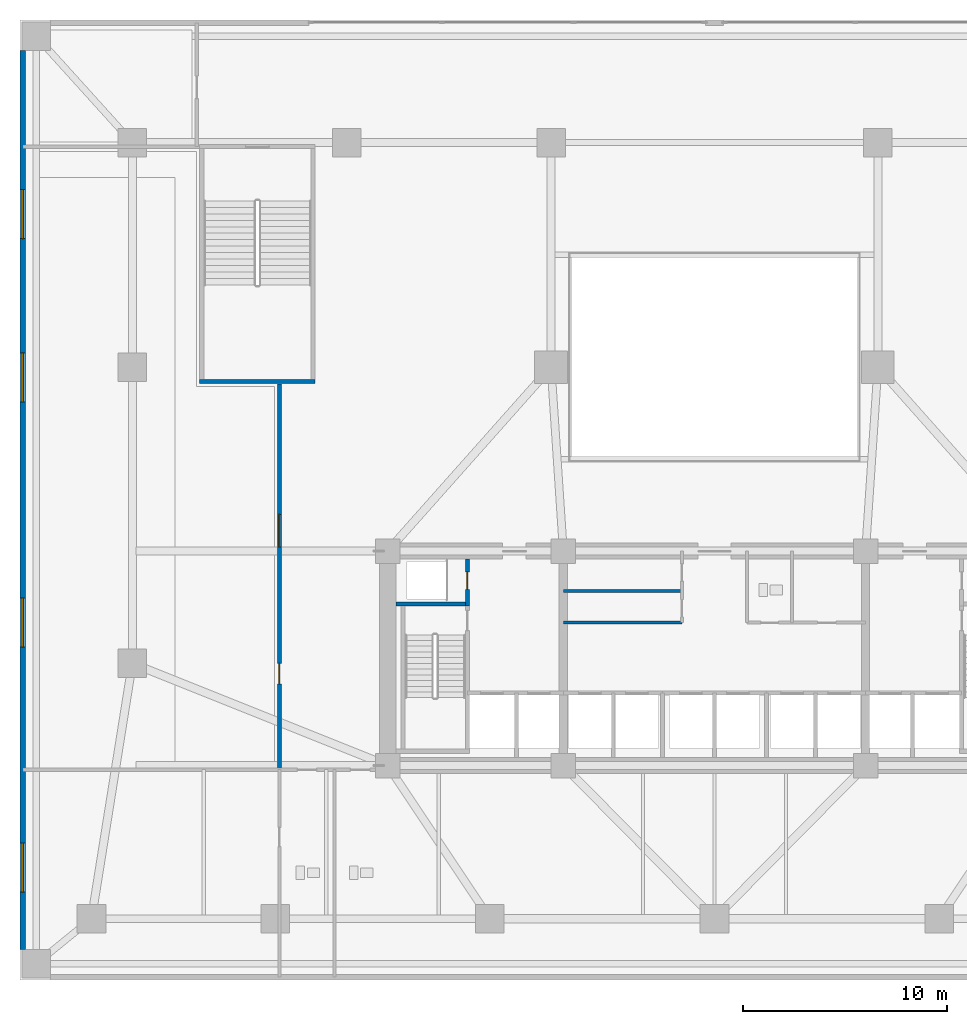
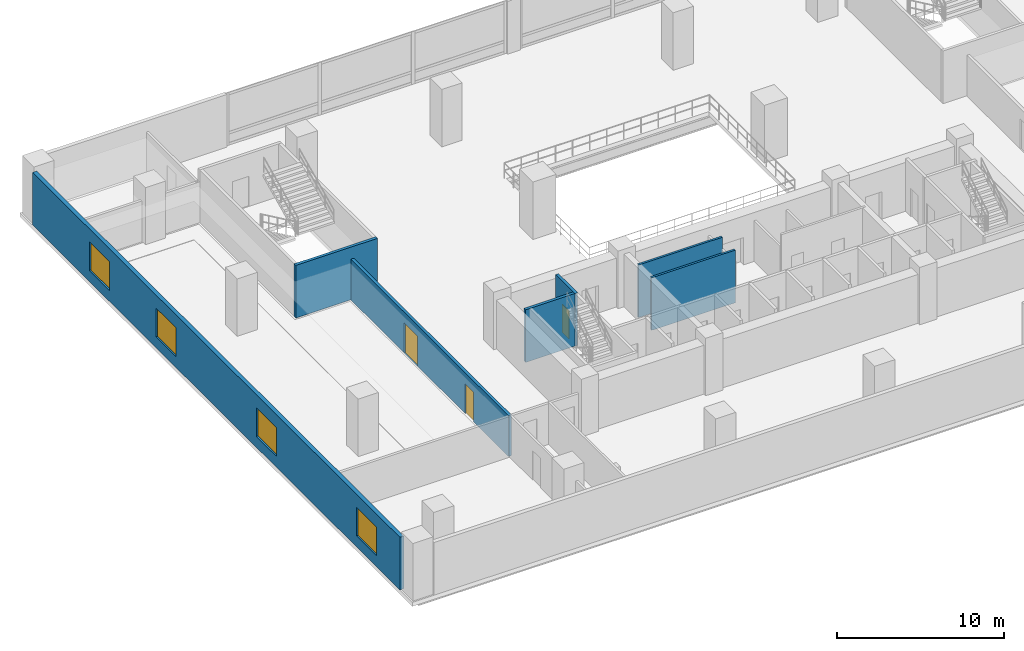
# One storey, part 7 of 15: 7 walls, 4 windows, 3 doors, 7 openings.
"""IFC4 building model written with IfcOpenShell, lengths in metres."""

import ifcopenshell
import ifcopenshell.guid

model = None  # the IFC model being written
_history = None  # IfcOwnerHistory: only IFC2X3 demands one
_inside = {}  # id of a spatial element -> (the spatial element, [elements in it])
_under = {}  # id of a project, library or spatial element -> (it, [spatial elements below it])
_declared = {}  # id of a project -> (the project, [libraries it declares])
_typed = {}  # id of a type object -> (the type object, [elements of that type])
_made_of = {}  # id of a material, layer set ... -> (it, [elements and type objects made of it])


def new_model(schema):
    """Start an empty IFC model of exactly this schema.

    Asked for "IFC4X3", IfcOpenShell would pick the latest addendum, in which some entities
    have other attributes; the version numbers below select the first issue.
    IFC2X3 requires an IfcOwnerHistory on every rooted entity: one is made here for all.
    """
    global model, _history
    if schema == "IFC4X3":
        model = ifcopenshell.file(schema_version=(4, 3, 0, 0))
    else:
        model = ifcopenshell.file(schema=schema)
    _inside.clear()
    _under.clear()
    _declared.clear()
    _typed.clear()
    _made_of.clear()
    _history = None
    if model.schema == "IFC2X3":
        org = make("IfcOrganization", Name="unknown")
        user = make(
            "IfcPersonAndOrganization",
            ThePerson=make("IfcPerson", FamilyName="unknown"),
            TheOrganization=org,
        )
        app = make(
            "IfcApplication",
            ApplicationDeveloper=org,
            Version="unknown",
            ApplicationFullName="unknown",
            ApplicationIdentifier="unknown",
        )
        _history = make(
            "IfcOwnerHistory",
            OwningUser=user,
            OwningApplication=app,
            ChangeAction="ADDED",
            CreationDate=0,
        )
    return model


def make(cls, **values):
    """One entity of the class cls with the attributes given. An attribute that is None is left unset."""
    return model.create_entity(
        cls, **{name: value for name, value in values.items() if value is not None}
    )


def rooted(cls, **values):
    """An entity with a GlobalId (a new one), such as an element, a storey or a relation."""
    return make(cls, GlobalId=ifcopenshell.guid.new(), OwnerHistory=_history, **values)


def si_unit(unit_type, name, prefix=None):
    """IfcSIUnit, for example si_unit("LENGTHUNIT", "METRE", prefix="MILLI")."""
    return make("IfcSIUnit", UnitType=unit_type, Prefix=prefix, Name=name)


def assignment(units):
    """IfcUnitAssignment: the units of a project."""
    return None if units is None else make("IfcUnitAssignment", Units=units)


def point(xyz):
    """IfcCartesianPoint."""
    return None if xyz is None else make("IfcCartesianPoint", Coordinates=xyz)


def direction(xyz):
    """IfcDirection."""
    return None if xyz is None else make("IfcDirection", DirectionRatios=xyz)


def frame(location, z_axis=None, x_axis=None):
    """IfcAxis2Placement3D, a coordinate frame: its origin and axes. An axis left out is left unset."""
    return make(
        "IfcAxis2Placement3D",
        Location=point(location),
        Axis=direction(z_axis),
        RefDirection=direction(x_axis),
    )


def frame_2d(location, x_axis=None):
    """IfcAxis2Placement2D, a coordinate frame in the plane: its origin and x axis."""
    return make(
        "IfcAxis2Placement2D", Location=point(location), RefDirection=direction(x_axis)
    )


def origin():
    """The frame at (0, 0, 0) with its axes left unset."""
    return frame((0.0, 0.0, 0.0))


def place(relative_to, where):
    """IfcLocalPlacement: puts the frame where relative to a parent placement (None: the world)."""
    return make(
        "IfcLocalPlacement", PlacementRelTo=relative_to, RelativePlacement=where
    )


def context(
    kind, dimensions, precision=None, world=None, true_north=None, identifier=None
):
    """IfcGeometricRepresentationContext, for example the 3D "Model" context."""
    return make(
        "IfcGeometricRepresentationContext",
        ContextIdentifier=identifier,
        ContextType=kind,
        CoordinateSpaceDimension=dimensions,
        Precision=precision,
        WorldCoordinateSystem=world,
        TrueNorth=true_north,
    )


def subcontext(parent, identifier, kind, view, scale=None):
    """IfcGeometricRepresentationSubContext, for example "Body" below "Model"."""
    return make(
        "IfcGeometricRepresentationSubContext",
        ContextIdentifier=identifier,
        ContextType=kind,
        ParentContext=parent,
        TargetScale=scale,
        TargetView=view,
    )


def project(units=None, contexts=None):
    """IfcProject with its units and contexts."""
    return rooted(
        "IfcProject",
        Name="project",
        RepresentationContexts=contexts,
        UnitsInContext=assignment(units),
    )


def spatial(cls, under=None, at=None, **own):
    """A site, building, storey or space (cls), placed at a placement, below another one or the project."""
    s = rooted(cls, ObjectPlacement=at, **own)
    if under is not None:
        _under.setdefault(under.id(), (under, []))[1].append(s)
    return s


def profile(cls, at=None, kind="AREA", **sizes):
    """A parametric profile (cls). Its sizes go by their IFC names, for example OverallWidth=200.0."""
    return make(cls, ProfileType=kind, Position=at, **sizes)


def rectangle(**sizes):
    """IfcRectangleProfileDef."""
    return profile("IfcRectangleProfileDef", **sizes)


def extrude(swept, where, along, depth):
    """IfcExtrudedAreaSolid: the profile swept, set in the frame where, extruded along a direction by depth."""
    return make(
        "IfcExtrudedAreaSolid",
        SweptArea=swept,
        Position=where,
        ExtrudedDirection=direction(along),
        Depth=depth,
    )


def shape(context_of_items, identifier, shape_type, items):
    """IfcShapeRepresentation: the items that make up one representation, for example the "Body"."""
    return make(
        "IfcShapeRepresentation",
        ContextOfItems=context_of_items,
        RepresentationIdentifier=identifier,
        RepresentationType=shape_type,
        Items=items,
    )


def material(Name=None, Category=None):
    """IfcMaterial."""
    return make("IfcMaterial", Name=Name, Category=Category)


def layer(
    of_material, thickness, ventilated=None, Name=None, Category=None, Priority=None
):
    """IfcMaterialLayer: one layer of a wall or slab, of a material (None: an air gap)."""
    return make(
        "IfcMaterialLayer",
        Material=of_material,
        LayerThickness=thickness,
        IsVentilated=ventilated,
        Name=Name,
        Category=Category,
        Priority=Priority,
    )


def layer_set(layers, Name=None):
    """IfcMaterialLayerSet."""
    return make("IfcMaterialLayerSet", MaterialLayers=layers, LayerSetName=Name)


def made_of(thing, what):
    """Note that an element or type object is made of a material, layer set ...; save() writes the relation."""
    if what is not None:
        _made_of.setdefault(what.id(), (what, []))[1].append(thing)
    return thing


def type_object(cls, material=None, **own):
    """A type object (cls), such as IfcWallType, which elements share."""
    return made_of(rooted(cls, **own), material)


def element(
    cls,
    number,
    at=None,
    inside=None,
    cuts=None,
    type_object=None,
    material=None,
    context=None,
    identifier="Body",
    shape_type=None,
    held_by="IfcProductDefinitionShape",
    body=None,
    shapes=None,
    **own,
):
    """One element of the class cls, such as IfcWall. Its Tag is "e" and its number.

    at: its placement. inside: the storey or other place that contains it. cuts: it is an
    opening in that element (IfcRelVoidsElement). A single representation is given by context,
    identifier, shape_type and body (its items); several are given by shapes. held_by: the class
    of the entity that holds the representations. save() writes the other relations.
    """
    e = rooted(cls, Tag="e%d" % number, ObjectPlacement=at, **own)
    if body is not None:
        shapes = [shape(context, identifier, shape_type, body)]
    if shapes is not None:
        e.Representation = make(held_by, Representations=shapes)
    if inside is not None:
        _inside.setdefault(inside.id(), (inside, []))[1].append(e)
    if cuts is not None:
        rooted(
            "IfcRelVoidsElement", RelatingBuildingElement=cuts, RelatedOpeningElement=e
        )
    if type_object is not None:
        _typed.setdefault(type_object.id(), (type_object, []))[1].append(e)
    return made_of(e, material)


def fill(opening, filler):
    """IfcRelFillsElement: the door or window that sits in an opening."""
    return rooted(
        "IfcRelFillsElement",
        RelatingOpeningElement=opening,
        RelatedBuildingElement=filler,
    )


def aggregate(whole, parts):
    """IfcRelAggregates: a whole, such as a stair, and the parts it consists of."""
    return rooted("IfcRelAggregates", RelatingObject=whole, RelatedObjects=parts)


def save(model, path):
    """Write the relations noted so far, then the file.

    IfcRelAggregates (storeys below a building ...), IfcRelContainedInSpatialStructure (elements
    in a storey), IfcRelDefinesByType, IfcRelAssociatesMaterial and IfcRelDeclares: one each for
    every whole, place, type object, material and project.
    """
    for whole, parts in _under.values():
        aggregate(whole, parts)
    for where, things in _inside.values():
        rooted(
            "IfcRelContainedInSpatialStructure",
            RelatedElements=things,
            RelatingStructure=where,
        )
    for kind, things in _typed.values():
        rooted("IfcRelDefinesByType", RelatedObjects=things, RelatingType=kind)
    for what, things in _made_of.values():
        rooted("IfcRelAssociatesMaterial", RelatedObjects=things, RelatingMaterial=what)
    for by, libraries in _declared.values():
        rooted("IfcRelDeclares", RelatingContext=by, RelatedDefinitions=libraries)
    model.write(path)


model = new_model("IFC4")

# Units and contexts
model_context = context("Model", 3, precision=1e-05, world=origin(), true_north=direction((0.0, 1.0)))
body_context = subcontext(model_context, "Body", "Model", "MODEL_VIEW")
ifc_project = project(units=[si_unit("LENGTHUNIT", "METRE"), si_unit("AREAUNIT", "SQUARE_METRE"), si_unit("VOLUMEUNIT", "CUBIC_METRE"), si_unit("PLANEANGLEUNIT", "RADIAN"), si_unit("MASSUNIT", "GRAM", prefix="KILO")], contexts=[model_context])

# Site, building, storey
site_placement = place(None, origin())
site = spatial("IfcSite", under=ifc_project, at=site_placement, CompositionType="ELEMENT")
building_placement = place(site_placement, origin())
building = spatial("IfcBuilding", under=site, at=building_placement, Name="Solmavex Isthmus Hotel", CompositionType="ELEMENT")
storey_placement = place(building_placement, frame((0.0, 0.0, 16.199951171875)))
storey = spatial("IfcBuildingStorey", under=building, at=storey_placement, Name="L04", CompositionType="ELEMENT", Elevation=16.199951171875)

# Wall, openings, windows
ifc_material_1 = material(Name="Precast Concrete C40/50", Category="concrete")
ifc_layer_1 = layer(ifc_material_1, 0.280029296875)
ifc_layer_set_1 = layer_set([ifc_layer_1], Name="Precast Concrete C40/50")
wall_type_1 = type_object("IfcWallType", Name="EW-POD-280", PredefinedType="STANDARD", material=ifc_layer_set_1)
wall_1_placement = place(storey_placement, frame((-33.860107421875, -22.0, 0.0), z_axis=(0.0, 0.0, 1.0), x_axis=(0.0, 1.0, 0.0)))
wall_1 = element("IfcWall", 1, at=wall_1_placement, inside=storey, type_object=wall_type_1, Name="Podium Facade Wall West L04", PredefinedType="STANDARD", context=body_context, shape_type="SweptSolid", body=[
    extrude(rectangle(XDim=44.0, YDim=0.280029296875, at=frame_2d((22.0, 0.0))), origin(), (0.0, 0.0, 1.0), 3.85009765625),
])
opening_1_placement = place(wall_1_placement, frame((2.800048828125, 0.0, 0.800048828125)))
opening_1 = element("IfcOpeningElement", 2, at=opening_1_placement, cuts=wall_1, Name="Opening WN-01", PredefinedType="OPENING", context=body_context, shape_type="SweptSolid", body=[
    extrude(rectangle(XDim=2.39990234375, YDim=2.10009765625, at=frame_2d((1.199951171875, 1.050048828125))), frame((0.0, 0.14990234375, 0.0), z_axis=(0.0, -1.0, 0.0), x_axis=(1.0, 0.0, 0.0)), (0.0, 0.0, 1.0), 0.300048828125),
])
opening_2_placement = place(wall_1_placement, frame((14.800048828125, 0.0, 0.800048828125)))
opening_2 = element("IfcOpeningElement", 3, at=opening_2_placement, cuts=wall_1, Name="Opening WN-01", PredefinedType="OPENING", context=body_context, shape_type="SweptSolid", body=[
    extrude(rectangle(XDim=2.39990234375, YDim=2.10009765625, at=frame_2d((1.199951171875, 1.050048828125))), frame((0.0, 0.14990234375, 0.0), z_axis=(0.0, -1.0, 0.0), x_axis=(1.0, 0.0, 0.0)), (0.0, 0.0, 1.0), 0.300048828125),
])
opening_3_placement = place(wall_1_placement, frame((26.800048828125, 0.0, 0.800048828125)))
opening_3 = element("IfcOpeningElement", 4, at=opening_3_placement, cuts=wall_1, Name="Opening WN-01", PredefinedType="OPENING", context=body_context, shape_type="SweptSolid", body=[
    extrude(rectangle(XDim=2.39990234375, YDim=2.10009765625, at=frame_2d((1.199951171875, 1.050048828125))), frame((0.0, 0.14990234375, 0.0), z_axis=(0.0, -1.0, 0.0), x_axis=(1.0, 0.0, 0.0)), (0.0, 0.0, 1.0), 0.300048828125),
])
opening_4_placement = place(wall_1_placement, frame((34.800048828125, 0.0, 0.800048828125)))
opening_4 = element("IfcOpeningElement", 5, at=opening_4_placement, cuts=wall_1, Name="Opening WN-01", PredefinedType="OPENING", context=body_context, shape_type="SweptSolid", body=[
    extrude(rectangle(XDim=2.39990234375, YDim=2.10009765625, at=frame_2d((1.199951171875, 1.050048828125))), frame((0.0, 0.14990234375, 0.0), z_axis=(0.0, -1.0, 0.0), x_axis=(1.0, 0.0, 0.0)), (0.0, 0.0, 1.0), 0.300048828125),
])
ifc_material_2 = material(Name="Clear low-E laminated glass", Category="glass")
window_type = type_object("IfcWindowType", Name="WIN-POD-2400", PartitioningType="SINGLE_PANEL", PredefinedType="WINDOW", material=ifc_material_2)
window_1_placement = place(opening_1_placement, origin())
window_1 = element("IfcWindow", 6, at=window_1_placement, inside=storey, type_object=window_type, Name="Podium Ballroom Window L04-W1", OverallHeight=2.10009765625, OverallWidth=2.39990234375, PartitioningType="SINGLE_PANEL", PredefinedType="WINDOW", context=body_context, shape_type="SweptSolid", body=[
    extrude(rectangle(XDim=2.39990234375, YDim=2.10009765625, at=frame_2d((1.199951171875, 1.050048828125))), frame((0.0, 0.030029296875, 0.0), z_axis=(0.0, -1.0, 0.0), x_axis=(1.0, 0.0, 0.0)), (0.0, 0.0, 1.0), 0.06005859375),
])
fill(opening_1, window_1)
window_2_placement = place(opening_2_placement, origin())
window_2 = element("IfcWindow", 7, at=window_2_placement, inside=storey, type_object=window_type, Name="Podium Ballroom Window L04-W2", OverallHeight=2.10009765625, OverallWidth=2.39990234375, PartitioningType="SINGLE_PANEL", PredefinedType="WINDOW", context=body_context, shape_type="SweptSolid", body=[
    extrude(rectangle(XDim=2.39990234375, YDim=2.10009765625, at=frame_2d((1.199951171875, 1.050048828125))), frame((0.0, 0.030029296875, 0.0), z_axis=(0.0, -1.0, 0.0), x_axis=(1.0, 0.0, 0.0)), (0.0, 0.0, 1.0), 0.06005859375),
])
fill(opening_2, window_2)
window_3_placement = place(opening_3_placement, origin())
window_3 = element("IfcWindow", 8, at=window_3_placement, inside=storey, type_object=window_type, Name="Podium Ballroom Window L04-W3", OverallHeight=2.10009765625, OverallWidth=2.39990234375, PartitioningType="SINGLE_PANEL", PredefinedType="WINDOW", context=body_context, shape_type="SweptSolid", body=[
    extrude(rectangle(XDim=2.39990234375, YDim=2.10009765625, at=frame_2d((1.199951171875, 1.050048828125))), frame((0.0, 0.030029296875, 0.0), z_axis=(0.0, -1.0, 0.0), x_axis=(1.0, 0.0, 0.0)), (0.0, 0.0, 1.0), 0.06005859375),
])
fill(opening_3, window_3)
window_4_placement = place(opening_4_placement, origin())
window_4 = element("IfcWindow", 9, at=window_4_placement, inside=storey, type_object=window_type, Name="Podium Ballroom Window L04-W4", OverallHeight=2.10009765625, OverallWidth=2.39990234375, PartitioningType="SINGLE_PANEL", PredefinedType="WINDOW", context=body_context, shape_type="SweptSolid", body=[
    extrude(rectangle(XDim=2.39990234375, YDim=2.10009765625, at=frame_2d((1.199951171875, 1.050048828125))), frame((0.0, 0.030029296875, 0.0), z_axis=(0.0, -1.0, 0.0), x_axis=(1.0, 0.0, 0.0)), (0.0, 0.0, 1.0), 0.06005859375),
])
fill(opening_4, window_4)

# Walls
ifc_material_3 = material(Name="Gypsum plasterboard lining", Category="gypsum")
ifc_layer_2 = layer(ifc_material_3, 0.14990234375)
ifc_layer_set_2 = layer_set([ifc_layer_2], Name="Gypsum plasterboard lining")
wall_type_2 = type_object("IfcWallType", Name="IW-CORR-150", PredefinedType="PARTITIONING", material=ifc_layer_set_2)
wall_2_placement = place(storey_placement, frame((-7.39990234375, -6.0, 0.0), z_axis=(0.0, 0.0, 1.0), x_axis=(1.0, 0.0, 0.0)))
element("IfcWall", 10, at=wall_2_placement, inside=storey, type_object=wall_type_2, Name="Interior Partition Wall W-L04-BOH-WS", PredefinedType="PARTITIONING", context=body_context, shape_type="SweptSolid", body=[
    extrude(rectangle(XDim=5.7998046875, YDim=0.14990234375, at=frame_2d((2.89990234375, 0.0))), origin(), (0.0, 0.0, 1.0), 3.85009765625),
])
ifc_layer_3 = layer(ifc_material_3, 0.1201171875)
ifc_layer_set_3 = layer_set([ifc_layer_3], Name="Gypsum plasterboard lining")
wall_type_3 = type_object("IfcWallType", Name="IW-PART-120", PredefinedType="PARTITIONING", material=ifc_layer_set_3)
wall_3_placement = place(storey_placement, frame((-7.39990234375, -4.449951171875, 0.0), z_axis=(0.0, 0.0, 1.0), x_axis=(1.0, 0.0, 0.0)))
element("IfcWall", 11, at=wall_3_placement, inside=storey, type_object=wall_type_3, Name="Interior Partition Wall W-L04-BOH-WH3", PredefinedType="PARTITIONING", context=body_context, shape_type="SweptSolid", body=[
    extrude(rectangle(XDim=5.7998046875, YDim=0.14990234375, at=frame_2d((2.89990234375, 0.0))), origin(), (0.0, 0.0, 1.0), 3.85009765625),
])

# Wall, opening, door
ifc_material_4 = material(Name="Concrete C40/50", Category="concrete")
ifc_layer_4 = layer(ifc_material_4, 0.199951171875)
ifc_layer_set_4 = layer_set([ifc_layer_4], Name="Concrete C40/50")
wall_type_4 = type_object("IfcWallType", Name="IW-SHAFT-200", PredefinedType="PARTITIONING", material=ifc_layer_set_4)
wall_4_placement = place(storey_placement, frame((-12.10009765625, -5.199951171875, 0.0), z_axis=(0.0, 0.0, 1.0), x_axis=(0.0, 1.0, 0.0)))
wall_4 = element("IfcWall", 12, at=wall_4_placement, inside=storey, type_object=wall_type_4, Name="Interior Partition Wall W-L04-RSW-E", PredefinedType="PARTITIONING", context=body_context, shape_type="SweptSolid", body=[
    extrude(rectangle(XDim=2.300048828125, YDim=0.199951171875, at=frame_2d((1.14990234375, 0.0))), origin(), (0.0, 0.0, 1.0), 3.85009765625),
])
opening_5_placement = place(wall_4_placement, frame((0.824951171875, 0.0, 0.0)))
opening_5 = element("IfcOpeningElement", 13, at=opening_5_placement, cuts=wall_4, Name="Opening ID-R085", PredefinedType="OPENING", context=body_context, shape_type="SweptSolid", body=[
    extrude(rectangle(XDim=0.85009765625, YDim=2.050048828125, at=frame_2d((0.425048828125, 1.02490234375))), frame((0.0, 0.10986328125, 0.0), z_axis=(0.0, -1.0, 0.0), x_axis=(1.0, 0.0, 0.0)), (0.0, 0.0, 1.0), 0.219970703125),
])
ifc_material_5 = material(Name="Steel ASTM A500 Grade C", Category="steel")
door_type_1 = type_object("IfcDoorType", Name="IDR-FD60-0850", OperationType="NOTDEFINED", PredefinedType="DOOR", material=ifc_material_5)
door_1_placement = place(opening_5_placement, origin())
door_1 = element("IfcDoor", 14, at=door_1_placement, inside=storey, type_object=door_type_1, Name="Electrical Riser Door L04", OperationType="SINGLE_SWING_RIGHT", OverallHeight=2.050048828125, OverallWidth=0.85009765625, PredefinedType="DOOR", context=body_context, shape_type="SweptSolid", body=[
    extrude(rectangle(XDim=0.85009765625, YDim=2.050048828125, at=frame_2d((0.425048828125, 1.02490234375))), frame((0.0, 0.02490234375, 0.0), z_axis=(0.0, -1.0, 0.0), x_axis=(1.0, 0.0, 0.0)), (0.0, 0.0, 1.0), 0.050048828125),
])
fill(opening_5, door_1)

# Wall, openings, doors
wall_5_placement = place(storey_placement, frame((-21.300048828125, -13.199951171875, 0.0), z_axis=(0.0, 0.0, 1.0), x_axis=(0.0, 1.0, 0.0)))
wall_5 = element("IfcWall", 15, at=wall_5_placement, inside=storey, type_object=wall_type_4, Name="Interior Partition Wall W-L04-WEST-H", PredefinedType="PARTITIONING", context=body_context, shape_type="SweptSolid", body=[
    extrude(rectangle(XDim=18.889892578125, YDim=0.199951171875, at=frame_2d((9.44482421875, 0.0))), origin(), (0.0, 0.0, 1.0), 2.9794921875),
])
opening_6_placement = place(wall_5_placement, frame((10.89990234375, 0.0, 0.0)))
opening_6 = element("IfcOpeningElement", 16, at=opening_6_placement, cuts=wall_5, Name="Opening ID-C160", PredefinedType="OPENING", context=body_context, shape_type="SweptSolid", body=[
    extrude(rectangle(XDim=1.60009765625, YDim=2.199951171875, at=frame_2d((0.800048828125, 1.10009765625))), frame((0.0, 0.10986328125, 0.0), z_axis=(0.0, -1.0, 0.0), x_axis=(1.0, 0.0, 0.0)), (0.0, 0.0, 1.0), 0.219970703125),
])
opening_7_placement = place(wall_5_placement, frame((4.199951171875, 0.0, 0.0)))
opening_7 = element("IfcOpeningElement", 17, at=opening_7_placement, cuts=wall_5, Name="Opening ID-C100", PredefinedType="OPENING", context=body_context, shape_type="SweptSolid", body=[
    extrude(rectangle(XDim=1.0, YDim=2.14990234375, at=frame_2d((0.5, 1.074951171875))), frame((0.0, 0.10986328125, 0.0), z_axis=(0.0, -1.0, 0.0), x_axis=(1.0, 0.0, 0.0)), (0.0, 0.0, 1.0), 0.219970703125),
])
ifc_material_6 = material(Name="Hardwood timber", Category="wood")
door_type_2 = type_object("IfcDoorType", Name="IDR-FD60-1000", OperationType="NOTDEFINED", PredefinedType="DOOR", material=ifc_material_6)
door_2_placement = place(opening_7_placement, frame((1.0, 0.0, 0.0), z_axis=(0.0, 0.0, 1.0), x_axis=(-1.0, 0.0, 0.0)))
door_2 = element("IfcDoor", 18, at=door_2_placement, inside=storey, type_object=door_type_2, Name="West Hall South Door L04", OperationType="SINGLE_SWING_LEFT", OverallHeight=2.14990234375, OverallWidth=1.0, PredefinedType="DOOR", context=body_context, shape_type="SweptSolid", body=[
    extrude(rectangle(XDim=1.0, YDim=2.14990234375, at=frame_2d((0.5, 1.074951171875))), frame((0.0, 0.02490234375, 0.0), z_axis=(0.0, -1.0, 0.0), x_axis=(1.0, 0.0, 0.0)), (0.0, 0.0, 1.0), 0.050048828125),
])
fill(opening_7, door_2)
door_type_3 = type_object("IfcDoorType", Name="IDR-FD60-1600", OperationType="NOTDEFINED", PredefinedType="DOOR", material=ifc_material_6)
door_3_placement = place(opening_6_placement, frame((1.60009765625, 0.0, 0.0), z_axis=(0.0, 0.0, 1.0), x_axis=(-1.0, 0.0, 0.0)))
door_3 = element("IfcDoor", 19, at=door_3_placement, inside=storey, type_object=door_type_3, Name="West Hall Main Door L04", OperationType="DOUBLE_DOOR_SINGLE_SWING", OverallHeight=2.199951171875, OverallWidth=1.60009765625, PredefinedType="DOOR", context=body_context, shape_type="SweptSolid", body=[
    extrude(rectangle(XDim=1.60009765625, YDim=2.199951171875, at=frame_2d((0.800048828125, 1.10009765625))), frame((0.0, 0.02490234375, 0.0), z_axis=(0.0, -1.0, 0.0), x_axis=(1.0, 0.0, 0.0)), (0.0, 0.0, 1.0), 0.050048828125),
])
fill(opening_6, door_3)

# Walls
ifc_layer_5 = layer(ifc_material_4, 0.199951171875)
ifc_layer_set_5 = layer_set([ifc_layer_5], Name="Concrete C40/50")
wall_type_5 = type_object("IfcWallType", Name="WALL-SW-200", PredefinedType="SOLIDWALL", material=ifc_layer_set_5)
wall_6_placement = place(storey_placement, frame((-15.60009765625, -5.10009765625, 0.0), z_axis=(0.0, 0.0, 1.0), x_axis=(1.0, 0.0, 0.0)))
element("IfcWall", 20, at=wall_6_placement, inside=storey, type_object=wall_type_5, Name="Stairwell Structural Wall SW-L04-ST1-N", PredefinedType="SOLIDWALL", context=body_context, shape_type="SweptSolid", body=[
    extrude(rectangle(XDim=3.60009765625, YDim=0.199951171875, at=frame_2d((1.800048828125, 0.0))), origin(), (0.0, 0.0, 1.0), 3.85009765625),
])
wall_7_placement = place(storey_placement, frame((-25.199951171875, 5.800048828125, 0.0), z_axis=(0.0, 0.0, 1.0), x_axis=(1.0, 0.0, 0.0)))
element("IfcWall", 21, at=wall_7_placement, inside=storey, type_object=wall_type_5, Name="Stairwell Structural Wall SW-L04-ST4-S", PredefinedType="SOLIDWALL", context=body_context, shape_type="SweptSolid", body=[
    extrude(rectangle(XDim=5.64990234375, YDim=0.199951171875, at=frame_2d((2.824951171875, 0.0))), origin(), (0.0, 0.0, 1.0), 3.85009765625),
])

save(model, "model.ifc")
